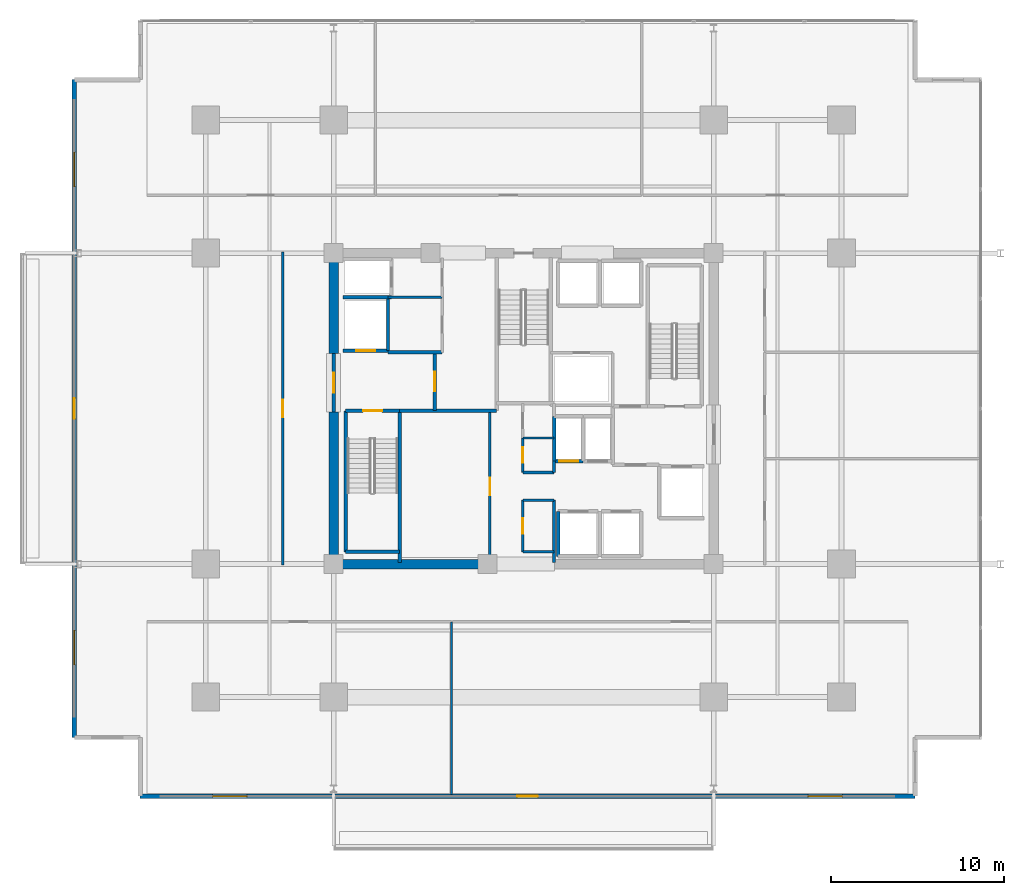
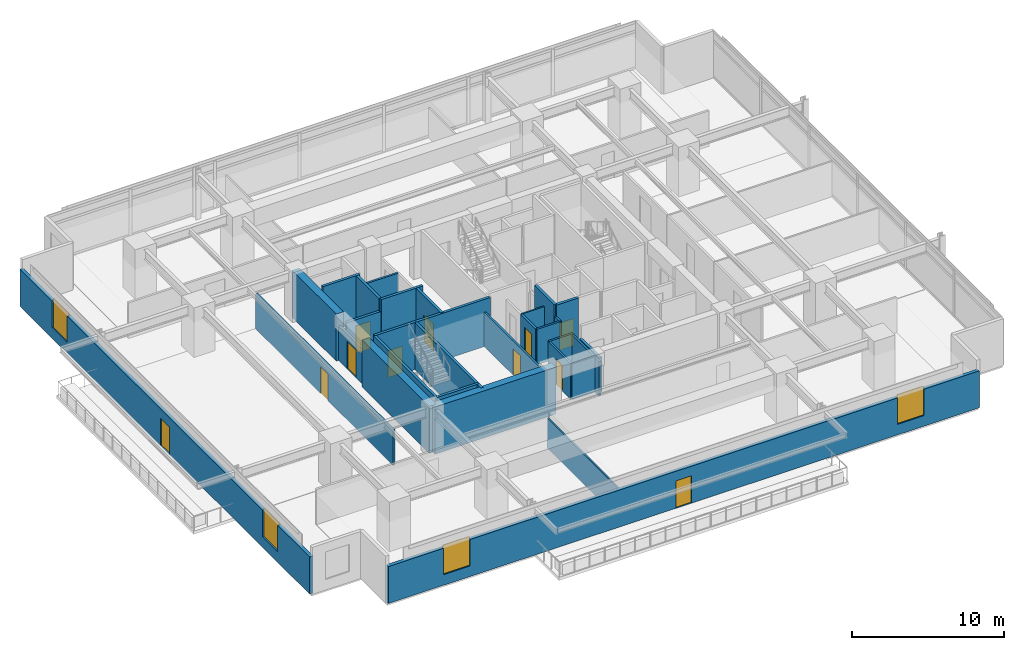
# One storey, part 14 of 23: 31 walls, 11 doors, 4 windows, 15 openings.
"""IFC4 building model written with IfcOpenShell, lengths in metres."""

from ifc_helpers import new_model, si_unit, direction, frame, frame_2d, origin, place, context, subcontext, project, spatial, rectangle, extrude, material, layer, layer_set, type_object, element, fill, save


model = new_model("IFC4")

# Units and contexts
model_context = context("Model", 3, precision=1e-05, world=origin(), true_north=direction((0.0, 1.0)))
body_context = subcontext(model_context, "Body", "Model", "MODEL_VIEW")
ifc_project = project(units=[si_unit("LENGTHUNIT", "METRE"), si_unit("AREAUNIT", "SQUARE_METRE"), si_unit("VOLUMEUNIT", "CUBIC_METRE"), si_unit("PLANEANGLEUNIT", "RADIAN"), si_unit("MASSUNIT", "GRAM", prefix="KILO")], contexts=[model_context])

# Site, building, storey
site_placement = place(None, origin())
site = spatial("IfcSite", under=ifc_project, at=site_placement, CompositionType="ELEMENT")
building_placement = place(site_placement, origin())
building = spatial("IfcBuilding", under=site, at=building_placement, Name="Kovane Verandah Tower", CompositionType="ELEMENT")
storey_placement = place(building_placement, frame((0.0, 0.0, 140.39990234375)))
storey = spatial("IfcBuildingStorey", under=building, at=storey_placement, Name="L32", CompositionType="ELEMENT", Elevation=140.39990234375)

# Walls
ifc_material_1 = material(Name="Fire-Rated Gypsum Stud Partition", Category="gypsum")
ifc_layer_1 = layer(ifc_material_1, 0.14990234375)
ifc_layer_set_1 = layer_set([ifc_layer_1], Name="Fire-Rated Gypsum Stud Partition")
wall_type_1 = type_object("IfcWallType", Name="WL-COR-150", PredefinedType="PARTITIONING", material=ifc_layer_set_1)
for number, where, z_axis, x_axis, name in (
    (1, (39.949951171875, 19.199951171875, 0.0), (0.0, 0.0, 1.0), (1.0, 0.0, 0.0), "L32 Central Core Strip South Wall"),
    (2, (39.949951171875, 22.199951171875, 0.0), (0.0, 0.0, 1.0), (1.0, 0.0, 0.0), "L32 Core Cross-Passage South Wall"),
    (3, (39.949951171875, 23.800048828125, 0.0), (0.0, 0.0, 1.0), (1.0, 0.0, 0.0), "L32 Core Cross-Passage North Wall"),
):
    element("IfcWall", number, at=place(storey_placement, frame(where, z_axis=z_axis, x_axis=x_axis)), inside=storey, type_object=wall_type_1, Name=name, PredefinedType="PARTITIONING", context=body_context, shape_type="SweptSolid", body=[
        extrude(rectangle(XDim=1.81005859375, YDim=0.14990234375, at=frame_2d((0.905029296875, 0.0))), origin(), (0.0, 0.0, 1.0), 2.85009765625),
    ])
wall_1_placement = place(storey_placement, frame((41.760009765625, 18.60009765625, 0.0), z_axis=(0.0, 0.0, 1.0), x_axis=(0.0, 1.0, 0.0)))
element("IfcWall", 4, at=wall_1_placement, inside=storey, type_object=wall_type_1, Name="L32 Central Core Strip Lower East Wall", PredefinedType="PARTITIONING", context=body_context, shape_type="SweptSolid", body=[
    extrude(rectangle(XDim=3.599853515625, YDim=0.14990234375, at=frame_2d((1.7998046875, 0.0))), origin(), (0.0, 0.0, 1.0), 2.755126953125),
])
wall_2_placement = place(storey_placement, frame((41.760009765625, 23.800048828125, 0.0), z_axis=(0.0, 0.0, 1.0), x_axis=(0.0, 1.0, 0.0)))
element("IfcWall", 5, at=wall_2_placement, inside=storey, type_object=wall_type_1, Name="L32 Central Core Strip Middle East Wall", PredefinedType="PARTITIONING", context=body_context, shape_type="SweptSolid", body=[
    extrude(rectangle(XDim=0.64990234375, YDim=0.14990234375, at=frame_2d((0.324951171875, 0.0))), origin(), (0.0, 0.0, 1.0), 2.85009765625),
])

# Wall, opening, door
wall_3_placement = place(storey_placement, frame((39.949951171875, 19.199951171875, 0.0), z_axis=(0.0, 0.0, 1.0), x_axis=(0.0, 1.0, 0.0)))
wall_3 = element("IfcWall", 6, at=wall_3_placement, inside=storey, type_object=wall_type_1, Name="L32 Male Toilet Partition", PredefinedType="PARTITIONING", context=body_context, shape_type="SweptSolid", body=[
    extrude(rectangle(XDim=3.0, YDim=0.14990234375, at=frame_2d((1.5, 0.0))), origin(), (0.0, 0.0, 1.0), 2.85009765625),
])
opening_1_placement = place(wall_3_placement, frame((1.050048828125, 0.0, 0.0)))
opening_1 = element("IfcOpeningElement", 7, at=opening_1_placement, cuts=wall_3, Name="Opening DR-L32-025", PredefinedType="OPENING", context=body_context, shape_type="SweptSolid", body=[
    extrude(rectangle(XDim=0.89990234375, YDim=2.10009765625, at=frame_2d((0.449951171875, 1.050048828125))), frame((0.0, 0.074951171875, 0.0), z_axis=(0.0, -1.0, 0.0), x_axis=(1.0, 0.0, 0.0)), (0.0, 0.0, 1.0), 0.14990234375),
])
ifc_material_2 = material(Name="Moisture-Resistant Laminate Washroom Door", Category="wood")
door_type_1 = type_object("IfcDoorType", Name="DR-WC-900", OperationType="SINGLE_SWING_LEFT", PredefinedType="DOOR", material=ifc_material_2)
door_1_placement = place(opening_1_placement, origin())
door_1 = element("IfcDoor", 8, at=door_1_placement, inside=storey, type_object=door_type_1, Name="L32 Male Toilet Door", OperationType="SINGLE_SWING_RIGHT", OverallHeight=2.10009765625, OverallWidth=0.89990234375, PredefinedType="DOOR", context=body_context, shape_type="SweptSolid", body=[
    extrude(rectangle(XDim=0.89990234375, YDim=2.10009765625, at=frame_2d((0.449951171875, 1.050048828125))), frame((0.0, 0.02490234375, 0.0), z_axis=(0.0, -1.0, 0.0), x_axis=(1.0, 0.0, 0.0)), (0.0, 0.0, 1.0), 0.050048828125),
])
fill(opening_1, door_1)

wall_4_placement = place(storey_placement, frame((39.949951171875, 23.800048828125, 0.0), z_axis=(0.0, 0.0, 1.0), x_axis=(0.0, 1.0, 0.0)))
wall_4 = element("IfcWall", 9, at=wall_4_placement, inside=storey, type_object=wall_type_1, Name="L32 Female Toilet Partition", PredefinedType="PARTITIONING", context=body_context, shape_type="SweptSolid", body=[
    extrude(rectangle(XDim=2.0, YDim=0.14990234375, at=frame_2d((1.0, 0.0))), origin(), (0.0, 0.0, 1.0), 2.85009765625),
])
opening_2_placement = place(wall_4_placement, frame((0.550048828125, 0.0, 0.0)))
opening_2 = element("IfcOpeningElement", 10, at=opening_2_placement, cuts=wall_4, Name="Opening DR-L32-024", PredefinedType="OPENING", context=body_context, shape_type="SweptSolid", body=[
    extrude(rectangle(XDim=0.89990234375, YDim=2.10009765625, at=frame_2d((0.449951171875, 1.050048828125))), frame((0.0, 0.074951171875, 0.0), z_axis=(0.0, -1.0, 0.0), x_axis=(1.0, 0.0, 0.0)), (0.0, 0.0, 1.0), 0.14990234375),
])
door_2_placement = place(opening_2_placement, origin())
door_2 = element("IfcDoor", 11, at=door_2_placement, inside=storey, type_object=door_type_1, Name="L32 Female Toilet Door", OperationType="SINGLE_SWING_LEFT", OverallHeight=2.10009765625, OverallWidth=0.89990234375, PredefinedType="DOOR", context=body_context, shape_type="SweptSolid", body=[
    extrude(rectangle(XDim=0.89990234375, YDim=2.10009765625, at=frame_2d((0.449951171875, 1.050048828125))), frame((0.0, 0.02490234375, 0.0), z_axis=(0.0, -1.0, 0.0), x_axis=(1.0, 0.0, 0.0)), (0.0, 0.0, 1.0), 0.050048828125),
])
fill(opening_2, door_2)

# Wall
wall_5_placement = place(storey_placement, frame((32.14990234375, 33.949951171875, 0.0), z_axis=(0.0, 0.0, 1.0), x_axis=(1.0, 0.0, 0.0)))
element("IfcWall", 12, at=wall_5_placement, inside=storey, type_object=wall_type_1, Name="L32 Goods Lift Lobby South Wall", PredefinedType="PARTITIONING", context=body_context, shape_type="SweptSolid", body=[
    extrude(rectangle(XDim=3.130126953125, YDim=0.14990234375, at=frame_2d((1.56494140625, 0.0))), origin(), (0.0, 0.0, 1.0), 2.85009765625),
])

# Wall, opening, door
wall_6_placement = place(storey_placement, frame((38.050048828125, 18.60009765625, 0.0), z_axis=(0.0, 0.0, 1.0), x_axis=(0.0, 1.0, 0.0)))
wall_6 = element("IfcWall", 13, at=wall_6_placement, inside=storey, type_object=wall_type_1, Name="L32 Tenant Wellness and Archive Suite Partition", PredefinedType="PARTITIONING", context=body_context, shape_type="SweptSolid", body=[
    extrude(rectangle(XDim=8.77978515625, YDim=0.14990234375, at=frame_2d((4.389892578125, 0.0))), origin(), (0.0, 0.0, 1.0), 2.755126953125),
])
opening_3_placement = place(wall_6_placement, frame((3.889892578125, 0.0, 0.0)))
opening_3 = element("IfcOpeningElement", 14, at=opening_3_placement, cuts=wall_6, Name="Opening DR-L32-015", PredefinedType="OPENING", context=body_context, shape_type="SweptSolid", body=[
    extrude(rectangle(XDim=1.0, YDim=2.14990234375, at=frame_2d((0.5, 1.074951171875))), frame((0.0, 0.074951171875, 0.0), z_axis=(0.0, -1.0, 0.0), x_axis=(1.0, 0.0, 0.0)), (0.0, 0.0, 1.0), 0.14990234375),
])
ifc_material_3 = material(Name="FSC Spotted-Gum Timber Fire-Rated Office Door", Category="wood")
door_type_2 = type_object("IfcDoorType", Name="DR-OFF-1000", OperationType="SINGLE_SWING_LEFT", PredefinedType="DOOR", material=ifc_material_3)
door_3_placement = place(opening_3_placement, origin())
door_3 = element("IfcDoor", 15, at=door_3_placement, inside=storey, type_object=door_type_2, Name="L32 Tenant Wellness and Archive Suite Door", OperationType="SINGLE_SWING_LEFT", OverallHeight=2.14990234375, OverallWidth=1.0, PredefinedType="DOOR", context=body_context, shape_type="SweptSolid", body=[
    extrude(rectangle(XDim=1.0, YDim=2.14990234375, at=frame_2d((0.5, 1.074951171875))), frame((0.0, 0.02490234375, 0.0), z_axis=(0.0, -1.0, 0.0), x_axis=(1.0, 0.0, 0.0)), (0.0, 0.0, 1.0), 0.050048828125),
])
fill(opening_3, door_3)

wall_7_placement = place(storey_placement, frame((26.050048828125, 18.449951171875, 0.0), z_axis=(0.0, 0.0, 1.0), x_axis=(0.0, 1.0, 0.0)))
wall_7 = element("IfcWall", 16, at=wall_7_placement, inside=storey, type_object=wall_type_1, Name="L32 Document and Print Room W1 Corridor Partition", PredefinedType="PARTITIONING", context=body_context, shape_type="SweptSolid", body=[
    extrude(rectangle(XDim=18.10009765625, YDim=0.14990234375, at=frame_2d((9.050048828125, 0.0))), origin(), (0.0, 0.0, 1.0), 2.85009765625),
])
opening_4_placement = place(wall_7_placement, frame((8.550048828125, 0.0, 0.0)))
opening_4 = element("IfcOpeningElement", 17, at=opening_4_placement, cuts=wall_7, Name="Opening DR-L32-026", PredefinedType="OPENING", context=body_context, shape_type="SweptSolid", body=[
    extrude(rectangle(XDim=1.0, YDim=2.14990234375, at=frame_2d((0.5, 1.074951171875))), frame((0.0, 0.074951171875, 0.0), z_axis=(0.0, -1.0, 0.0), x_axis=(1.0, 0.0, 0.0)), (0.0, 0.0, 1.0), 0.14990234375),
])
door_4_placement = place(opening_4_placement, origin())
door_4 = element("IfcDoor", 18, at=door_4_placement, inside=storey, type_object=door_type_2, Name="L32 Document and Print Room W1 Entrance Door", OperationType="SINGLE_SWING_RIGHT", OverallHeight=2.14990234375, OverallWidth=1.0, PredefinedType="DOOR", context=body_context, shape_type="SweptSolid", body=[
    extrude(rectangle(XDim=1.0, YDim=2.14990234375, at=frame_2d((0.5, 1.074951171875))), frame((0.0, 0.02490234375, 0.0), z_axis=(0.0, -1.0, 0.0), x_axis=(1.0, 0.0, 0.0)), (0.0, 0.0, 1.0), 0.050048828125),
])
fill(opening_4, door_4)

# Walls
ifc_material_4 = material(Name="Concrete C60/75", Category="concrete")
ifc_layer_2 = layer(ifc_material_4, 0.550048828125)
ifc_layer_set_2 = layer_set([ifc_layer_2], Name="Concrete C60/75")
wall_type_2 = type_object("IfcWallType", Name="WL-CORE-550", PredefinedType="SHEAR", material=ifc_layer_set_2)
wall_8_placement = place(storey_placement, frame((29.0, 18.5, 0.0), z_axis=(0.0, 0.0, 1.0), x_axis=(1.0, 0.0, 0.0)))
element("IfcWall", 19, at=wall_8_placement, inside=storey, type_object=wall_type_2, Name="L32 Core Shear Wall CS-1", PredefinedType="SHEAR", context=body_context, shape_type="SweptSolid", body=[
    extrude(rectangle(XDim=9.199951171875, YDim=0.550048828125, at=frame_2d((4.60009765625, 0.0))), origin(), (0.0, 0.0, 1.0), 3.775146484375),
])
wall_9_placement = place(storey_placement, frame((29.0, 18.5, 0.0), z_axis=(0.0, 0.0, 1.0), x_axis=(0.0, 1.0, 0.0)))
element("IfcWall", 20, at=wall_9_placement, inside=storey, type_object=wall_type_2, Name="L32 Core Shear Wall CW-1", PredefinedType="SHEAR", context=body_context, shape_type="SweptSolid", body=[
    extrude(rectangle(XDim=8.800048828125, YDim=0.550048828125, at=frame_2d((4.39990234375, 0.0))), origin(), (0.0, 0.0, 1.0), 3.775146484375),
])
wall_10_placement = place(storey_placement, frame((29.0, 30.699951171875, 0.0), z_axis=(0.0, 0.0, 1.0), x_axis=(0.0, 1.0, 0.0)))
element("IfcWall", 21, at=wall_10_placement, inside=storey, type_object=wall_type_2, Name="L32 Core Shear Wall CW-2", PredefinedType="SHEAR", context=body_context, shape_type="SweptSolid", body=[
    extrude(rectangle(XDim=5.800048828125, YDim=0.550048828125, at=frame_2d((2.89990234375, 0.0))), origin(), (0.0, 0.0, 1.0), 3.775146484375),
])

# Wall, opening, door
ifc_material_5 = material(Name="Concrete C45/55 Fire Wall", Category="concrete")
ifc_layer_3 = layer(ifc_material_5, 0.199951171875)
ifc_layer_set_3 = layer_set([ifc_layer_3], Name="Concrete C45/55 Fire Wall")
wall_type_3 = type_object("IfcWallType", Name="WL-FFL-200", PredefinedType="PARTITIONING", material=ifc_layer_set_3)
wall_11_placement = place(storey_placement, frame((34.85009765625, 27.3798828125, 0.0), z_axis=(0.0, 0.0, 1.0), x_axis=(0.0, 1.0, 0.0)))
wall_11 = element("IfcWall", 22, at=wall_11_placement, inside=storey, type_object=wall_type_3, Name="W-L32-FFLW-E", PredefinedType="PARTITIONING", context=body_context, shape_type="SweptSolid", body=[
    extrude(rectangle(XDim=3.3701171875, YDim=0.199951171875, at=frame_2d((1.68505859375, 0.0))), origin(), (0.0, 0.0, 1.0), 3.775146484375),
])
opening_5_placement = place(wall_11_placement, frame((1.110107421875, 0.0, 0.0)))
opening_5 = element("IfcOpeningElement", 23, at=opening_5_placement, cuts=wall_11, Name="Opening DR-L32-006", PredefinedType="OPENING", context=body_context, shape_type="SweptSolid", body=[
    extrude(rectangle(XDim=1.14990234375, YDim=2.199951171875, at=frame_2d((0.574951171875, 1.10009765625))), frame((0.0, 0.10009765625, 0.0), z_axis=(0.0, -1.0, 0.0), x_axis=(1.0, 0.0, 0.0)), (0.0, 0.0, 1.0), 0.199951171875),
])
ifc_material_6 = material(Name="Smoke-Sealed Firefighting Lobby Door", Category="steel")
door_type_3 = type_object("IfcDoorType", Name="DR-FFL-1150", OperationType="SINGLE_SWING_LEFT", PredefinedType="DOOR", material=ifc_material_6)
door_5_placement = place(opening_5_placement, origin())
door_5 = element("IfcDoor", 24, at=door_5_placement, inside=storey, type_object=door_type_3, Name="L32 West Firefighting Lobby Inner Door", OperationType="SINGLE_SWING_LEFT", OverallHeight=2.199951171875, OverallWidth=1.14990234375, PredefinedType="DOOR", context=body_context, shape_type="SweptSolid", body=[
    extrude(rectangle(XDim=1.14990234375, YDim=2.199951171875, at=frame_2d((0.574951171875, 1.10009765625))), frame((0.0, 0.02490234375, 0.0), z_axis=(0.0, -1.0, 0.0), x_axis=(1.0, 0.0, 0.0)), (0.0, 0.0, 1.0), 0.050048828125),
])
fill(opening_5, door_5)

wall_12_placement = place(storey_placement, frame((29.0, 27.300048828125, 0.0), z_axis=(0.0, 0.0, 1.0), x_axis=(0.0, 1.0, 0.0)))
wall_12 = element("IfcWall", 25, at=wall_12_placement, inside=storey, type_object=wall_type_3, Name="W-L32-FFLW-OUT", PredefinedType="PARTITIONING", context=body_context, shape_type="SweptSolid", body=[
    extrude(rectangle(XDim=3.39990234375, YDim=0.199951171875, at=frame_2d((1.699951171875, 0.0))), origin(), (0.0, 0.0, 1.0), 2.755126953125),
])
opening_6_placement = place(wall_12_placement, frame((1.125, 0.0, 0.0)))
opening_6 = element("IfcOpeningElement", 26, at=opening_6_placement, cuts=wall_12, Name="Opening DR-L32-007", PredefinedType="OPENING", context=body_context, shape_type="SweptSolid", body=[
    extrude(rectangle(XDim=1.14990234375, YDim=2.199951171875, at=frame_2d((0.574951171875, 1.10009765625))), frame((0.0, 0.10009765625, 0.0), z_axis=(0.0, -1.0, 0.0), x_axis=(1.0, 0.0, 0.0)), (0.0, 0.0, 1.0), 0.199951171875),
])
door_6_placement = place(opening_6_placement, origin())
door_6 = element("IfcDoor", 27, at=door_6_placement, inside=storey, type_object=door_type_3, Name="L32 West Firefighting Lobby Corridor Door", OperationType="SINGLE_SWING_RIGHT", OverallHeight=2.199951171875, OverallWidth=1.14990234375, PredefinedType="DOOR", context=body_context, shape_type="SweptSolid", body=[
    extrude(rectangle(XDim=1.14990234375, YDim=2.199951171875, at=frame_2d((0.574951171875, 1.10009765625))), frame((0.0, 0.02490234375, 0.0), z_axis=(0.0, -1.0, 0.0), x_axis=(1.0, 0.0, 0.0)), (0.0, 0.0, 1.0), 0.050048828125),
])
fill(opening_6, door_6)

# Walls
wall_13_placement = place(storey_placement, frame((32.820068359375, 27.3798828125, 0.0), z_axis=(0.0, 0.0, 1.0), x_axis=(1.0, 0.0, 0.0)))
element("IfcWall", 28, at=wall_13_placement, inside=storey, type_object=wall_type_3, Name="L32 West Firefighting Lobby South Fire Wall", PredefinedType="PARTITIONING", context=body_context, shape_type="SweptSolid", body=[
    extrude(rectangle(XDim=5.619873046875, YDim=0.199951171875, at=frame_2d((2.81005859375, 0.0))), origin(), (0.0, 0.0, 1.0), 3.775146484375),
])
wall_14_placement = place(storey_placement, frame((32.14990234375, 30.75, 0.0), z_axis=(0.0, 0.0, 1.0), x_axis=(1.0, 0.0, 0.0)))
element("IfcWall", 29, at=wall_14_placement, inside=storey, type_object=wall_type_3, Name="L32 West Firefighting Lobby North Fire Wall", PredefinedType="PARTITIONING", context=body_context, shape_type="SweptSolid", body=[
    extrude(rectangle(XDim=3.130126953125, YDim=0.199951171875, at=frame_2d((1.56494140625, 0.0))), origin(), (0.0, 0.0, 1.0), 3.775146484375),
])

# Wall, opening, door
ifc_material_7 = material(Name="Concrete C45/55 Lift Shaft Wall", Category="concrete")
ifc_layer_4 = layer(ifc_material_7, 0.199951171875)
ifc_layer_set_4 = layer_set([ifc_layer_4], Name="Concrete C45/55 Lift Shaft Wall")
wall_type_4 = type_object("IfcWallType", Name="WL-LIFT-200", PredefinedType="SOLIDWALL", material=ifc_layer_set_4)
wall_15_placement = place(storey_placement, frame((29.550048828125, 30.85009765625, 0.0), z_axis=(0.0, 0.0, 1.0), x_axis=(1.0, 0.0, 0.0)))
wall_15 = element("IfcWall", 30, at=wall_15_placement, inside=storey, type_object=wall_type_4, Name="L32 Lift FL-01 S Shaft Wall", PredefinedType="SOLIDWALL", context=body_context, shape_type="SweptSolid", body=[
    extrude(rectangle(XDim=2.599853515625, YDim=0.199951171875, at=frame_2d((1.2998046875, 0.0))), origin(), (0.0, 0.0, 1.0), 2.755126953125),
])
opening_7_placement = place(wall_15_placement, frame((0.75, 0.0, 0.0)))
opening_7 = element("IfcOpeningElement", 31, at=opening_7_placement, cuts=wall_15, Name="Opening LD-L32-001", PredefinedType="OPENING", context=body_context, shape_type="SweptSolid", body=[
    extrude(rectangle(XDim=1.10009765625, YDim=2.199951171875, at=frame_2d((0.550048828125, 1.10009765625))), frame((0.0, 0.10009765625, 0.0), z_axis=(0.0, -1.0, 0.0), x_axis=(1.0, 0.0, 0.0)), (0.0, 0.0, 1.0), 0.199951171875),
])
ifc_material_8 = material(Name="Brushed Stainless Steel Sliding Lift Landing Door", Category="steel")
door_type_4 = type_object("IfcDoorType", Name="DR-LIFT-1100", OperationType="SLIDING_TO_RIGHT", PredefinedType="DOOR", material=ifc_material_8)
door_7_placement = place(opening_7_placement, origin())
door_7 = element("IfcDoor", 32, at=door_7_placement, inside=storey, type_object=door_type_4, Name="L32 Lift FL-01 Sliding Landing Door", OperationType="SLIDING_TO_RIGHT", OverallHeight=2.199951171875, OverallWidth=1.10009765625, PredefinedType="DOOR", context=body_context, shape_type="SweptSolid", body=[
    extrude(rectangle(XDim=1.10009765625, YDim=2.199951171875, at=frame_2d((0.550048828125, 1.10009765625))), frame((0.0, 0.02490234375, 0.0), z_axis=(0.0, -1.0, 0.0), x_axis=(1.0, 0.0, 0.0)), (0.0, 0.0, 1.0), 0.050048828125),
])
fill(opening_7, door_7)

# Walls
wall_16_placement = place(storey_placement, frame((29.550048828125, 33.949951171875, 0.0), z_axis=(0.0, 0.0, 1.0), x_axis=(1.0, 0.0, 0.0)))
element("IfcWall", 33, at=wall_16_placement, inside=storey, type_object=wall_type_4, Name="L32 Lift FL-01 and GL-01 Shared Shaft Wall", PredefinedType="SOLIDWALL", context=body_context, shape_type="SweptSolid", body=[
    extrude(rectangle(XDim=2.800048828125, YDim=0.199951171875, at=frame_2d((1.39990234375, 0.0))), origin(), (0.0, 0.0, 1.0), 3.775146484375),
])
wall_17_placement = place(storey_placement, frame((32.14990234375, 30.85009765625, 0.0), z_axis=(0.0, 0.0, 1.0), x_axis=(0.0, 1.0, 0.0)))
element("IfcWall", 34, at=wall_17_placement, inside=storey, type_object=wall_type_4, Name="L32 Lift FL-01 E Shaft Wall", PredefinedType="SOLIDWALL", context=body_context, shape_type="SweptSolid", body=[
    extrude(rectangle(XDim=3.0, YDim=0.199951171875, at=frame_2d((1.5, 0.0))), origin(), (0.0, 0.0, 1.0), 3.775146484375),
])
wall_18_placement = place(storey_placement, frame((42.0, 21.550048828125, 0.0), z_axis=(0.0, 0.0, 1.0), x_axis=(0.0, -1.0, 0.0)))
element("IfcWall", 35, at=wall_18_placement, inside=storey, type_object=wall_type_4, Name="L32 Lift PL-M1 W Shaft Wall", PredefinedType="SOLIDWALL", context=body_context, shape_type="SweptSolid", body=[
    extrude(rectangle(XDim=2.60009765625, YDim=0.199951171875, at=frame_2d((1.300048828125, 0.0))), origin(), (0.0, 0.0, 1.0), 2.755126953125),
])

# Wall, opening, door
wall_19_placement = place(storey_placement, frame((41.760009765625, 24.449951171875, 0.0), z_axis=(0.0, 0.0, 1.0), x_axis=(1.0, 0.0, 0.0)))
wall_19 = element("IfcWall", 36, at=wall_19_placement, inside=storey, type_object=wall_type_4, Name="L32 Lift PL-M3 S Shaft Wall", PredefinedType="SOLIDWALL", context=body_context, shape_type="SweptSolid", body=[
    extrude(rectangle(XDim=1.679931640625, YDim=0.199951171875, at=frame_2d((0.83984375, 0.0))), origin(), (0.0, 0.0, 1.0), 3.775146484375),
])
opening_8_placement = place(wall_19_placement, frame((0.2900390625, 0.0, 0.0)))
opening_8 = element("IfcOpeningElement", 37, at=opening_8_placement, cuts=wall_19, Name="Opening LD-L32-006", PredefinedType="OPENING", context=body_context, shape_type="SweptSolid", body=[
    extrude(rectangle(XDim=1.10009765625, YDim=2.199951171875, at=frame_2d((0.550048828125, 1.10009765625))), frame((0.0, 0.10009765625, 0.0), z_axis=(0.0, -1.0, 0.0), x_axis=(1.0, 0.0, 0.0)), (0.0, 0.0, 1.0), 0.199951171875),
])
door_8_placement = place(opening_8_placement, origin())
door_8 = element("IfcDoor", 38, at=door_8_placement, inside=storey, type_object=door_type_4, Name="L32 Lift PL-M3 Sliding Landing Door", OperationType="SLIDING_TO_RIGHT", OverallHeight=2.199951171875, OverallWidth=1.10009765625, PredefinedType="DOOR", context=body_context, shape_type="SweptSolid", body=[
    extrude(rectangle(XDim=1.10009765625, YDim=2.199951171875, at=frame_2d((0.550048828125, 1.10009765625))), frame((0.0, 0.02490234375, 0.0), z_axis=(0.0, -1.0, 0.0), x_axis=(1.0, 0.0, 0.0)), (0.0, 0.0, 1.0), 0.050048828125),
])
fill(opening_8, door_8)

# Walls
wall_20_placement = place(storey_placement, frame((41.760009765625, 27.050048828125, 0.0), z_axis=(0.0, 0.0, 1.0), x_axis=(0.0, -1.0, 0.0)))
element("IfcWall", 39, at=wall_20_placement, inside=storey, type_object=wall_type_4, Name="L32 Lift PL-M3 W Shaft Wall", PredefinedType="SOLIDWALL", context=body_context, shape_type="SweptSolid", body=[
    extrude(rectangle(XDim=2.60009765625, YDim=0.199951171875, at=frame_2d((1.300048828125, 0.0))), origin(), (0.0, 0.0, 1.0), 3.775146484375),
])
ifc_material_9 = material(Name="Acoustic Fire-Rated Gypsum Partition", Category="gypsum")
ifc_layer_5 = layer(ifc_material_9, 0.1201171875)
ifc_layer_set_5 = layer_set([ifc_layer_5], Name="Acoustic Fire-Rated Gypsum Partition")
wall_type_5 = type_object("IfcWallType", Name="WL-PART-120", PredefinedType="PARTITIONING", material=ifc_layer_set_5)
wall_21_placement = place(storey_placement, frame((39.949951171875, 25.800048828125, 0.0), z_axis=(0.0, 0.0, 1.0), x_axis=(1.0, 0.0, 0.0)))
element("IfcWall", 40, at=wall_21_placement, inside=storey, type_object=wall_type_5, Name="L32 Central Core Strip Upper Dividing Partition", PredefinedType="PARTITIONING", context=body_context, shape_type="SweptSolid", body=[
    extrude(rectangle(XDim=1.81005859375, YDim=0.1201171875, at=frame_2d((0.905029296875, 0.0))), origin(), (0.0, 0.0, 1.0), 2.85009765625),
])
wall_22_placement = place(storey_placement, frame((35.82177734375, 5.1591796875, 0.0), z_axis=(0.0, 0.0, 1.0), x_axis=(0.0, 1.0, 0.0)))
element("IfcWall", 41, at=wall_22_placement, inside=storey, type_object=wall_type_5, Name="L32 Breakout Pantry S1 Dividing Partition", PredefinedType="PARTITIONING", context=body_context, shape_type="SweptSolid", body=[
    extrude(rectangle(XDim=9.99072265625, YDim=0.1201171875, at=frame_2d((4.995361328125, 0.0))), origin(), (0.0, 0.0, 1.0), 2.405029296875),
])
ifc_material_10 = material(Name="Concrete C45/55", Category="concrete")
ifc_layer_6 = layer(ifc_material_10, 0.199951171875)
ifc_layer_set_6 = layer_set([ifc_layer_6], Name="Concrete C45/55")
wall_type_6 = type_object("IfcWallType", Name="WL-SHAFT-200", PredefinedType="SOLIDWALL", material=ifc_layer_set_6)
wall_23_placement = place(storey_placement, frame((29.699951171875, 19.199951171875, 0.0), z_axis=(0.0, 0.0, 1.0), x_axis=(0.0, 1.0, 0.0)))
element("IfcWall", 42, at=wall_23_placement, inside=storey, type_object=wall_type_6, Name="W-L32-ST01-W", PredefinedType="SOLIDWALL", context=body_context, shape_type="SweptSolid", body=[
    extrude(rectangle(XDim=8.150146484375, YDim=0.199951171875, at=frame_2d((4.0751953125, 0.0))), origin(), (0.0, 0.0, 1.0), 3.775146484375),
])
wall_24_placement = place(storey_placement, frame((29.699951171875, 19.199951171875, 0.0), z_axis=(0.0, 0.0, 1.0), x_axis=(1.0, 0.0, 0.0)))
element("IfcWall", 43, at=wall_24_placement, inside=storey, type_object=wall_type_6, Name="W-L32-ST01-S", PredefinedType="SOLIDWALL", context=body_context, shape_type="SweptSolid", body=[
    extrude(rectangle(XDim=3.1201171875, YDim=0.199951171875, at=frame_2d((1.56005859375, 0.0))), origin(), (0.0, 0.0, 1.0), 3.775146484375),
])
wall_25_placement = place(storey_placement, frame((32.820068359375, 18.60009765625, 0.0), z_axis=(0.0, 0.0, 1.0), x_axis=(0.0, 1.0, 0.0)))
element("IfcWall", 44, at=wall_25_placement, inside=storey, type_object=wall_type_6, Name="W-L32-ST01-E", PredefinedType="SOLIDWALL", context=body_context, shape_type="SweptSolid", body=[
    extrude(rectangle(XDim=8.77978515625, YDim=0.199951171875, at=frame_2d((4.389892578125, 0.0))), origin(), (0.0, 0.0, 1.0), 3.775146484375),
])

# Wall, opening, door
wall_26_placement = place(storey_placement, frame((29.699951171875, 27.3798828125, 0.0), z_axis=(0.0, 0.0, 1.0), x_axis=(1.0, 0.0, 0.0)))
wall_26 = element("IfcWall", 45, at=wall_26_placement, inside=storey, type_object=wall_type_6, Name="W-L32-ST01-N", PredefinedType="SOLIDWALL", context=body_context, shape_type="SweptSolid", body=[
    extrude(rectangle(XDim=3.1201171875, YDim=0.199951171875, at=frame_2d((1.56005859375, 0.0))), origin(), (0.0, 0.0, 1.0), 3.775146484375),
])
opening_9_placement = place(wall_26_placement, frame((1.010009765625, 0.0, 0.0)))
opening_9 = element("IfcOpeningElement", 46, at=opening_9_placement, cuts=wall_26, Name="Opening DR-L32-009", PredefinedType="OPENING", context=body_context, shape_type="SweptSolid", body=[
    extrude(rectangle(XDim=1.10009765625, YDim=2.14990234375, at=frame_2d((0.550048828125, 1.074951171875))), frame((0.0, 0.10009765625, 0.0), z_axis=(0.0, -1.0, 0.0), x_axis=(1.0, 0.0, 0.0)), (0.0, 0.0, 1.0), 0.199951171875),
])
ifc_material_11 = material(Name="Fire-Rated Steel Exit Door", Category="steel")
door_type_5 = type_object("IfcDoorType", Name="DR-STAIR-1100", OperationType="SINGLE_SWING_LEFT", PredefinedType="DOOR", material=ifc_material_11)
door_9_placement = place(opening_9_placement, origin())
door_9 = element("IfcDoor", 47, at=door_9_placement, inside=storey, type_object=door_type_5, Name="L32 ST-01 Fire Exit Stair Door", OperationType="SINGLE_SWING_LEFT", OverallHeight=2.14990234375, OverallWidth=1.10009765625, PredefinedType="DOOR", context=body_context, shape_type="SweptSolid", body=[
    extrude(rectangle(XDim=1.10009765625, YDim=2.14990234375, at=frame_2d((0.550048828125, 1.074951171875))), frame((0.0, 0.02490234375, 0.0), z_axis=(0.0, -1.0, 0.0), x_axis=(1.0, 0.0, 0.0)), (0.0, 0.0, 1.0), 0.050048828125),
])
fill(opening_9, door_9)

# Wall, openings, door, windows
ifc_material_12 = material(Name="Concrete C45/55 Insulated Spandrel Wall", Category="concrete")
ifc_layer_7 = layer(ifc_material_12, 0.260009765625)
ifc_layer_set_7 = layer_set([ifc_layer_7], Name="Concrete C45/55 Insulated Spandrel Wall")
wall_type_7 = type_object("IfcWallType", Name="WL-SPANDREL-260", PredefinedType="PARAPET", material=ifc_layer_set_7)
wall_27_placement = place(storey_placement, frame((17.798828125, 5.05908203125, 0.0), z_axis=(0.0, 0.0, 1.0), x_axis=(1.0, 0.0, 0.0)))
wall_27 = element("IfcWall", 48, at=wall_27_placement, inside=storey, type_object=wall_type_7, Name="L32 S Verandah Access Facade Wall", PredefinedType="PARAPET", context=body_context, shape_type="SweptSolid", body=[
    extrude(rectangle(XDim=44.857177734375, YDim=0.260009765625, at=frame_2d((22.4287109375, 0.0))), origin(), (0.0, 0.0, 1.0), 2.97021484375),
])
opening_10_placement = place(wall_27_placement, frame((4.199951171875, 0.0, 0.85009765625)))
opening_10 = element("IfcOpeningElement", 49, at=opening_10_placement, cuts=wall_27, Name="Opening W-04", PredefinedType="OPENING", context=body_context, shape_type="SweptSolid", body=[
    extrude(rectangle(XDim=2.0, YDim=2.300048828125, at=frame_2d((1.0, 1.14990234375))), frame((0.0, 0.1298828125, 0.0), z_axis=(0.0, -1.0, 0.0), x_axis=(1.0, 0.0, 0.0)), (0.0, 0.0, 1.0), 0.260009765625),
])
opening_11_placement = place(wall_27_placement, frame((21.82861328125, 0.0, 0.0)))
opening_11 = element("IfcOpeningElement", 50, at=opening_11_placement, cuts=wall_27, Name="Opening DR-L32-001", PredefinedType="OPENING", context=body_context, shape_type="SweptSolid", body=[
    extrude(rectangle(XDim=1.199951171875, YDim=2.199951171875, at=frame_2d((0.60009765625, 1.10009765625))), frame((0.0, 0.1298828125, 0.0), z_axis=(0.0, -1.0, 0.0), x_axis=(1.0, 0.0, 0.0)), (0.0, 0.0, 1.0), 0.260009765625),
])
opening_12_placement = place(wall_27_placement, frame((38.6572265625, 0.0, 0.85009765625)))
opening_12 = element("IfcOpeningElement", 51, at=opening_12_placement, cuts=wall_27, Name="Opening W-04", PredefinedType="OPENING", context=body_context, shape_type="SweptSolid", body=[
    extrude(rectangle(XDim=2.0, YDim=2.300048828125, at=frame_2d((1.0, 1.14990234375))), frame((0.0, 0.1298828125, 0.0), z_axis=(0.0, -1.0, 0.0), x_axis=(1.0, 0.0, 0.0)), (0.0, 0.0, 1.0), 0.260009765625),
])
ifc_material_13 = material(Name="Cyclone-Rated Glazed Balcony Leaf Door", Category="aluminium")
door_type_6 = type_object("IfcDoorType", Name="DR-BAL-1200x2200", OperationType="SINGLE_SWING_LEFT", PredefinedType="DOOR", material=ifc_material_13)
door_10_placement = place(opening_11_placement, origin())
door_10 = element("IfcDoor", 52, at=door_10_placement, inside=storey, type_object=door_type_6, Name="L32 S Planted Balcony Access Door", OperationType="SINGLE_SWING_LEFT", OverallHeight=2.199951171875, OverallWidth=1.199951171875, PredefinedType="DOOR", context=body_context, shape_type="SweptSolid", body=[
    extrude(rectangle(XDim=1.199951171875, YDim=2.199951171875, at=frame_2d((0.60009765625, 1.10009765625))), frame((0.0, 0.02490234375, 0.0), z_axis=(0.0, -1.0, 0.0), x_axis=(1.0, 0.0, 0.0)), (0.0, 0.0, 1.0), 0.050048828125),
])
fill(opening_11, door_10)
ifc_material_14 = material(Name="Clear Low-E Laminated Double Glazing in Anodised Frame", Category="glass")
window_type = type_object("IfcWindowType", Name="WN-FIXED-2000x2300", PartitioningType="SINGLE_PANEL", PredefinedType="WINDOW", material=ifc_material_14)
window_1_placement = place(opening_10_placement, origin())
window_1 = element("IfcWindow", 53, at=window_1_placement, inside=storey, type_object=window_type, Name="L32 S Verandah View Window 1", OverallHeight=2.300048828125, OverallWidth=2.0, PartitioningType="SINGLE_PANEL", PredefinedType="WINDOW", context=body_context, shape_type="SweptSolid", body=[
    extrude(rectangle(XDim=2.0, YDim=2.300048828125, at=frame_2d((1.0, 1.14990234375))), frame((0.0, 0.030029296875, 0.0), z_axis=(0.0, -1.0, 0.0), x_axis=(1.0, 0.0, 0.0)), (0.0, 0.0, 1.0), 0.06005859375),
])
fill(opening_10, window_1)
window_2_placement = place(opening_12_placement, origin())
window_2 = element("IfcWindow", 54, at=window_2_placement, inside=storey, type_object=window_type, Name="L32 S Verandah View Window 2", OverallHeight=2.300048828125, OverallWidth=2.0, PartitioningType="SINGLE_PANEL", PredefinedType="WINDOW", context=body_context, shape_type="SweptSolid", body=[
    extrude(rectangle(XDim=2.0, YDim=2.300048828125, at=frame_2d((1.0, 1.14990234375))), frame((0.0, 0.030029296875, 0.0), z_axis=(0.0, -1.0, 0.0), x_axis=(1.0, 0.0, 0.0)), (0.0, 0.0, 1.0), 0.06005859375),
])
fill(opening_12, window_2)

wall_28_placement = place(storey_placement, frame((13.998779296875, 46.540771484375, 0.0), z_axis=(0.0, 0.0, 1.0), x_axis=(0.0, -1.0, 0.0)))
wall_28 = element("IfcWall", 55, at=wall_28_placement, inside=storey, type_object=wall_type_7, Name="L32 W Verandah Access Facade Wall", PredefinedType="PARAPET", context=body_context, shape_type="SweptSolid", body=[
    extrude(rectangle(XDim=38.08154296875, YDim=0.260009765625, at=frame_2d((19.040771484375, 0.0))), origin(), (0.0, 0.0, 1.0), 2.97021484375),
])
opening_13_placement = place(wall_28_placement, frame((4.199951171875, 0.0, 0.85009765625)))
opening_13 = element("IfcOpeningElement", 56, at=opening_13_placement, cuts=wall_28, Name="Opening W-04", PredefinedType="OPENING", context=body_context, shape_type="SweptSolid", body=[
    extrude(rectangle(XDim=2.0, YDim=2.300048828125, at=frame_2d((1.0, 1.14990234375))), frame((0.0, 0.1298828125, 0.0), z_axis=(0.0, -1.0, 0.0), x_axis=(1.0, 0.0, 0.0)), (0.0, 0.0, 1.0), 0.260009765625),
])
opening_14_placement = place(wall_28_placement, frame((18.44091796875, 0.0, 0.0)))
opening_14 = element("IfcOpeningElement", 57, at=opening_14_placement, cuts=wall_28, Name="Opening DR-L32-002", PredefinedType="OPENING", context=body_context, shape_type="SweptSolid", body=[
    extrude(rectangle(XDim=1.199951171875, YDim=2.199951171875, at=frame_2d((0.60009765625, 1.10009765625))), frame((0.0, 0.1298828125, 0.0), z_axis=(0.0, -1.0, 0.0), x_axis=(1.0, 0.0, 0.0)), (0.0, 0.0, 1.0), 0.260009765625),
])
opening_15_placement = place(wall_28_placement, frame((31.881591796875, 0.0, 0.85009765625)))
opening_15 = element("IfcOpeningElement", 58, at=opening_15_placement, cuts=wall_28, Name="Opening W-04", PredefinedType="OPENING", context=body_context, shape_type="SweptSolid", body=[
    extrude(rectangle(XDim=2.0, YDim=2.300048828125, at=frame_2d((1.0, 1.14990234375))), frame((0.0, 0.1298828125, 0.0), z_axis=(0.0, -1.0, 0.0), x_axis=(1.0, 0.0, 0.0)), (0.0, 0.0, 1.0), 0.260009765625),
])
door_11_placement = place(opening_14_placement, origin())
door_11 = element("IfcDoor", 59, at=door_11_placement, inside=storey, type_object=door_type_6, Name="L32 W Planted Balcony Access Door", OperationType="SINGLE_SWING_LEFT", OverallHeight=2.199951171875, OverallWidth=1.199951171875, PredefinedType="DOOR", context=body_context, shape_type="SweptSolid", body=[
    extrude(rectangle(XDim=1.199951171875, YDim=2.199951171875, at=frame_2d((0.60009765625, 1.10009765625))), frame((0.0, 0.02490234375, 0.0), z_axis=(0.0, -1.0, 0.0), x_axis=(1.0, 0.0, 0.0)), (0.0, 0.0, 1.0), 0.050048828125),
])
fill(opening_14, door_11)
window_3_placement = place(opening_13_placement, origin())
window_3 = element("IfcWindow", 60, at=window_3_placement, inside=storey, type_object=window_type, Name="L32 W Verandah View Window 1", OverallHeight=2.300048828125, OverallWidth=2.0, PartitioningType="SINGLE_PANEL", PredefinedType="WINDOW", context=body_context, shape_type="SweptSolid", body=[
    extrude(rectangle(XDim=2.0, YDim=2.300048828125, at=frame_2d((1.0, 1.14990234375))), frame((0.0, 0.030029296875, 0.0), z_axis=(0.0, -1.0, 0.0), x_axis=(1.0, 0.0, 0.0)), (0.0, 0.0, 1.0), 0.06005859375),
])
fill(opening_13, window_3)
window_4_placement = place(opening_15_placement, origin())
window_4 = element("IfcWindow", 61, at=window_4_placement, inside=storey, type_object=window_type, Name="L32 W Verandah View Window 2", OverallHeight=2.300048828125, OverallWidth=2.0, PartitioningType="SINGLE_PANEL", PredefinedType="WINDOW", context=body_context, shape_type="SweptSolid", body=[
    extrude(rectangle(XDim=2.0, YDim=2.300048828125, at=frame_2d((1.0, 1.14990234375))), frame((0.0, 0.030029296875, 0.0), z_axis=(0.0, -1.0, 0.0), x_axis=(1.0, 0.0, 0.0)), (0.0, 0.0, 1.0), 0.06005859375),
])
fill(opening_15, window_4)

save(model, "model.ifc")
